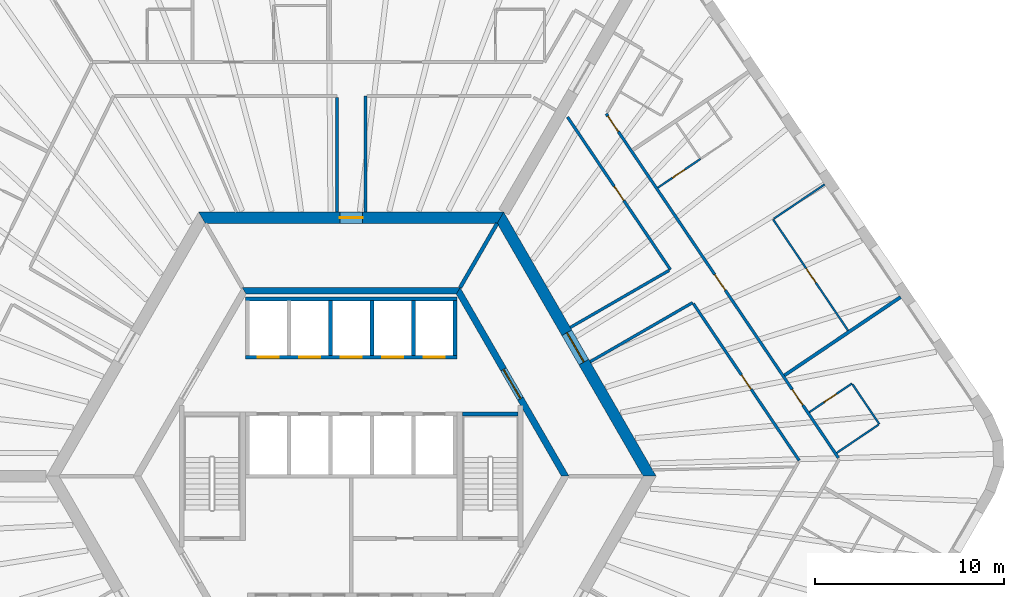
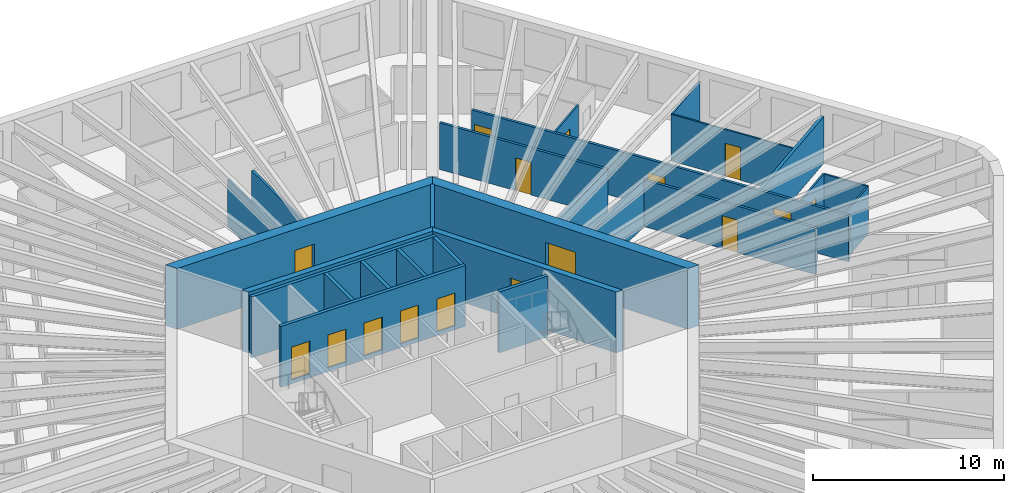
# One storey, part 9 of 12: 26 walls, 16 doors, 16 openings.
"""IFC4 building model written with IfcOpenShell, lengths in metres."""

from ifc_helpers import new_model, si_unit, direction, frame, frame_2d, origin, place, context, subcontext, project, spatial, polyline, rectangle, outline, extrude, material, layer, layer_set, type_object, element, fill, save


model = new_model("IFC4")

# Units and contexts
model_context = context("Model", 3, precision=1e-05, world=origin(), true_north=direction((0.0, 1.0)))
body_context = subcontext(model_context, "Body", "Model", "MODEL_VIEW")
ifc_project = project(units=[si_unit("LENGTHUNIT", "METRE"), si_unit("AREAUNIT", "SQUARE_METRE"), si_unit("VOLUMEUNIT", "CUBIC_METRE"), si_unit("PLANEANGLEUNIT", "RADIAN"), si_unit("MASSUNIT", "GRAM", prefix="KILO")], contexts=[model_context])

# Site, building, storey
site_placement = place(None, origin())
site = spatial("IfcSite", under=ifc_project, at=site_placement, CompositionType="ELEMENT")
building_placement = place(site_placement, origin())
building = spatial("IfcBuilding", under=site, at=building_placement, Name="Tarnside Tower", CompositionType="ELEMENT")
storey_placement = place(building_placement, frame((0.0, 0.0, 127.199951171875)))
storey = spatial("IfcBuildingStorey", under=building, at=storey_placement, Name="L29", CompositionType="ELEMENT", Elevation=127.199951171875)

# Wall, opening, door
ifc_material_1 = material(Name="Gypsum board partition on steel studs", Category="steel")
ifc_layer_1 = layer(ifc_material_1, 0.10009765625)
ifc_layer_set_1 = layer_set([ifc_layer_1], Name="Bathroom wall 100")
wall_type_1 = type_object("IfcWallType", Name="Bathroom wall 100", PredefinedType="PARTITIONING", material=ifc_layer_set_1)
wall_1_placement = place(storey_placement, frame((24.27978515625, 3.390869140625, 0.0), z_axis=(0.0, 0.0, 1.0), x_axis=(0.829005477618, 0.559240483226, 0.0)))
wall_1 = element("IfcWall", 1, at=wall_1_placement, inside=storey, type_object=wall_type_1, Name="Bathroom wall 09157", PredefinedType="PARTITIONING", context=body_context, shape_type="SweptSolid", body=[
    extrude(rectangle(XDim=2.72509765625, YDim=0.10009765625, at=frame_2d((1.362548828125, 0.0))), origin(), (0.0, 0.0, 1.0), 2.98779296875),
])
opening_1_placement = place(wall_1_placement, frame((0.925048828125, 0.0, 0.0)))
opening_1 = element("IfcOpeningElement", 2, at=opening_1_placement, cuts=wall_1, Name="Opening D-B1", PredefinedType="OPENING", context=body_context, shape_type="SweptSolid", body=[
    extrude(rectangle(XDim=0.800048828125, YDim=2.10009765625, at=frame_2d((0.39990234375, 1.050048828125))), frame((0.0, 0.06005859375, 0.0), z_axis=(0.0, -1.0, 0.0), x_axis=(1.0, 0.0, 0.0)), (0.0, 0.0, 1.0), 0.1201171875),
])
ifc_material_2 = material(Name="Timber door leaf", Category="wood")
door_type_1 = type_object("IfcDoorType", Name="Bathroom door 800", OperationType="NOTDEFINED", PredefinedType="DOOR", material=ifc_material_2)
door_1_placement = place(opening_1_placement, origin())
door_1 = element("IfcDoor", 3, at=door_1_placement, inside=storey, type_object=door_type_1, Name="Bathroom door 09038", OperationType="SINGLE_SWING_RIGHT", OverallHeight=2.10009765625, OverallWidth=0.800048828125, PredefinedType="DOOR", context=body_context, shape_type="SweptSolid", body=[
    extrude(rectangle(XDim=0.800048828125, YDim=2.10009765625, at=frame_2d((0.39990234375, 1.050048828125))), frame((0.0, 0.02490234375, 0.0), z_axis=(0.0, -1.0, 0.0), x_axis=(1.0, 0.0, 0.0)), (0.0, 0.0, 1.0), 0.050048828125),
])
fill(opening_1, door_1)

# Walls
wall_2_placement = place(storey_placement, frame((26.56689453125, 4.873291015625, 0.0), z_axis=(0.0, 0.0, 1.0), x_axis=(0.559155442782, -0.829062838878, 0.0)))
element("IfcWall", 4, at=wall_2_placement, inside=storey, type_object=wall_type_1, Name="Bathroom wall 09158", PredefinedType="PARTITIONING", context=body_context, shape_type="SweptSolid", body=[
    extrude(rectangle(XDim=2.5498046875, YDim=0.10009765625, at=frame_2d((1.27490234375, 0.0))), origin(), (0.0, 0.0, 1.0), 2.98779296875),
])
wall_3_placement = place(storey_placement, frame((27.951416015625, 2.731201171875, 0.0), z_axis=(0.0, 0.0, 1.0), x_axis=(-0.82904753069, -0.559178139645, 0.0)))
element("IfcWall", 5, at=wall_3_placement, inside=storey, type_object=wall_type_1, Name="Bathroom wall 09159", PredefinedType="PARTITIONING", context=body_context, shape_type="SweptSolid", body=[
    extrude(rectangle(XDim=2.675048828125, YDim=0.10009765625, at=frame_2d((1.33740234375, 0.0))), origin(), (0.0, 0.0, 1.0), 2.98779296875),
])

# Wall, opening, door
wall_4_placement = place(storey_placement, frame((18.51171875, 16.8154296875, 0.0), z_axis=(0.0, 0.0, 1.0), x_axis=(-0.829005477618, -0.559240483226, 0.0)))
wall_4 = element("IfcWall", 6, at=wall_4_placement, inside=storey, type_object=wall_type_1, Name="Bathroom wall 09162", PredefinedType="PARTITIONING", context=body_context, shape_type="SweptSolid", body=[
    extrude(rectangle(XDim=2.72509765625, YDim=0.10009765625, at=frame_2d((1.362548828125, 0.0))), origin(), (0.0, 0.0, 1.0), 2.98779296875),
])
opening_2_placement = place(wall_4_placement, frame((1.0, 0.0, 0.0)))
opening_2 = element("IfcOpeningElement", 7, at=opening_2_placement, cuts=wall_4, Name="Opening D-B1", PredefinedType="OPENING", context=body_context, shape_type="SweptSolid", body=[
    extrude(rectangle(XDim=0.800048828125, YDim=2.10009765625, at=frame_2d((0.39990234375, 1.050048828125))), frame((0.0, 0.06005859375, 0.0), z_axis=(0.0, -1.0, 0.0), x_axis=(1.0, 0.0, 0.0)), (0.0, 0.0, 1.0), 0.1201171875),
])
door_2_placement = place(opening_2_placement, origin())
door_2 = element("IfcDoor", 8, at=door_2_placement, inside=storey, type_object=door_type_1, Name="Bathroom door 09040", OperationType="SINGLE_SWING_LEFT", OverallHeight=2.10009765625, OverallWidth=0.800048828125, PredefinedType="DOOR", context=body_context, shape_type="SweptSolid", body=[
    extrude(rectangle(XDim=0.800048828125, YDim=2.10009765625, at=frame_2d((0.39990234375, 1.050048828125))), frame((0.0, 0.02490234375, 0.0), z_axis=(0.0, -1.0, 0.0), x_axis=(1.0, 0.0, 0.0)), (0.0, 0.0, 1.0), 0.050048828125),
])
fill(opening_2, door_2)

ifc_material_3 = material(Name="Concrete C50/60", Category="concrete")
ifc_layer_2 = layer(ifc_material_3, 0.35009765625)
ifc_layer_set_2 = layer_set([ifc_layer_2], Name="Core block wall 350 C50/60")
wall_type_2 = type_object("IfcWallType", Name="Core block wall 350 C50/60", PredefinedType="SHEAR", material=ifc_layer_set_2)
wall_5_placement = place(storey_placement, frame((11.344970703125, 0.0, -0.14990234375), z_axis=(0.0, 0.0, 1.0), x_axis=(-0.499995046907, 0.866028263435, 0.0)))
wall_5 = element("IfcWall", 9, at=wall_5_placement, inside=storey, type_object=wall_type_2, Name="L29 core block wall face 6", PredefinedType="SHEAR", context=body_context, shape_type="SweptSolid", body=[
    extrude(outline(polyline([(-0.10107421875, -0.175048828125), (11.44580078125, -0.175048828125), (11.24365234375, 0.175048828125), (0.10107421875, 0.175048828125), (-0.10107421875, -0.175048828125)])), origin(), (0.0, 0.0, 1.0), 3.89990234375),
])
opening_3_placement = place(wall_5_placement, frame((4.74365234375, 0.0, 0.14990234375)))
opening_3 = element("IfcOpeningElement", 10, at=opening_3_placement, cuts=wall_5, Name="Opening CD-LOB", PredefinedType="OPENING", context=body_context, shape_type="SweptSolid", body=[
    extrude(rectangle(XDim=1.800048828125, YDim=2.39990234375, at=frame_2d((0.89990234375, 1.199951171875))), frame((0.0, 0.18505859375, 0.0), z_axis=(0.0, -1.0, 0.0), x_axis=(1.0, 0.0, 0.0)), (0.0, 0.0, 1.0), 0.3701171875),
])
ifc_material_4 = material(Name="Steel fire door", Category="steel")
door_type_2 = type_object("IfcDoorType", Name="Lobby double door FD30S 1800x2400", OperationType="NOTDEFINED", PredefinedType="DOOR", material=ifc_material_4)
door_3_placement = place(opening_3_placement, origin())
door_3 = element("IfcDoor", 11, at=door_3_placement, inside=storey, type_object=door_type_2, Name="L29 lobby block door P2", OperationType="DOUBLE_DOOR_SINGLE_SWING", OverallHeight=2.39990234375, OverallWidth=1.800048828125, PredefinedType="DOOR", context=body_context, shape_type="SweptSolid", body=[
    extrude(rectangle(XDim=1.800048828125, YDim=2.39990234375, at=frame_2d((0.89990234375, 1.199951171875))), frame((0.0, 0.02490234375, 0.0), z_axis=(0.0, -1.0, 0.0), x_axis=(1.0, 0.0, 0.0)), (0.0, 0.0, 1.0), 0.050048828125),
])
fill(opening_3, door_3)

# Wall
wall_6_placement = place(storey_placement, frame((5.672607421875, 9.824951171875, -0.14990234375), z_axis=(0.0, 0.0, 1.0), x_axis=(-1.0, 0.0, 0.0)))
element("IfcWall", 12, at=wall_6_placement, inside=storey, type_object=wall_type_2, Name="L29 core block wall face 1", PredefinedType="SHEAR", context=body_context, shape_type="SweptSolid", body=[
    extrude(outline(polyline([(-0.10107421875, -0.175048828125), (11.4462890625, -0.175048828125), (11.244140625, 0.175048828125), (0.10107421875, 0.175048828125), (-0.10107421875, -0.175048828125)])), origin(), (0.0, 0.0, 1.0), 3.89990234375),
])

# Wall, opening, door
ifc_material_5 = material(Name="Concrete C80/95", Category="concrete")
ifc_layer_3 = layer(ifc_material_5, 0.60009765625)
ifc_layer_set_3 = layer_set([ifc_layer_3], Name="Core wall Z1 600 C80/95")
wall_type_3 = type_object("IfcWallType", Name="Core wall Z1 600 C80/95", PredefinedType="SHEAR", material=ifc_layer_set_3)
wall_7_placement = place(storey_placement, frame((15.8193359375, 0.0, -0.14990234375), z_axis=(0.0, 0.0, 1.0), x_axis=(-0.499999880136, 0.866025472988, 0.0)))
wall_7 = element("IfcWall", 13, at=wall_7_placement, inside=storey, type_object=wall_type_3, Name="L29 core wall face 6", PredefinedType="SHEAR", context=body_context, shape_type="SweptSolid", body=[
    extrude(outline(polyline([(-0.17333984375, -0.300048828125), (15.99267578125, -0.300048828125), (15.64599609375, 0.300048828125), (0.17333984375, 0.300048828125), (-0.17333984375, -0.300048828125)])), origin(), (0.0, 0.0, 1.0), 3.89990234375),
])
opening_4_placement = place(wall_7_placement, frame((6.980712890625, 0.0, 0.14990234375)))
opening_4 = element("IfcOpeningElement", 14, at=opening_4_placement, cuts=wall_7, Name="Opening CD-LOB", PredefinedType="OPENING", context=body_context, shape_type="SweptSolid", body=[
    extrude(rectangle(XDim=1.800048828125, YDim=2.39990234375, at=frame_2d((0.89990234375, 1.199951171875))), frame((0.0, 0.31005859375, 0.0), z_axis=(0.0, -1.0, 0.0), x_axis=(1.0, 0.0, 0.0)), (0.0, 0.0, 1.0), 0.6201171875),
])
door_4_placement = place(opening_4_placement, origin())
door_4 = element("IfcDoor", 15, at=door_4_placement, inside=storey, type_object=door_type_2, Name="L29 core door P2", OperationType="DOUBLE_DOOR_SINGLE_SWING", OverallHeight=2.39990234375, OverallWidth=1.800048828125, PredefinedType="DOOR", context=body_context, shape_type="SweptSolid", body=[
    extrude(rectangle(XDim=1.800048828125, YDim=2.39990234375, at=frame_2d((0.89990234375, 1.199951171875))), frame((0.0, 0.02490234375, 0.0), z_axis=(0.0, -1.0, 0.0), x_axis=(1.0, 0.0, 0.0)), (0.0, 0.0, 1.0), 0.050048828125),
])
fill(opening_4, door_4)

wall_8_placement = place(storey_placement, frame((7.90966796875, 13.699951171875, -0.14990234375), z_axis=(0.0, 0.0, 1.0), x_axis=(-1.0, 0.0, 0.0)))
wall_8 = element("IfcWall", 16, at=wall_8_placement, inside=storey, type_object=wall_type_3, Name="L29 core wall face 1", PredefinedType="SHEAR", context=body_context, shape_type="SweptSolid", body=[
    extrude(outline(polyline([(-0.17333984375, -0.300048828125), (15.99267578125, -0.300048828125), (15.64599609375, 0.300048828125), (0.17333984375, 0.300048828125), (-0.17333984375, -0.300048828125)])), origin(), (0.0, 0.0, 1.0), 3.89990234375),
])
opening_5_placement = place(wall_8_placement, frame((7.309814453125, 0.0, 0.14990234375)))
opening_5 = element("IfcOpeningElement", 17, at=opening_5_placement, cuts=wall_8, Name="Opening CD-RSR", PredefinedType="OPENING", context=body_context, shape_type="SweptSolid", body=[
    extrude(rectangle(XDim=1.199951171875, YDim=2.39990234375, at=frame_2d((0.60009765625, 1.199951171875))), frame((0.0, 0.31005859375, 0.0), z_axis=(0.0, -1.0, 0.0), x_axis=(1.0, 0.0, 0.0)), (0.0, 0.0, 1.0), 0.6201171875),
])
door_type_3 = type_object("IfcDoorType", Name="Riser door FD60 1200x2400", OperationType="NOTDEFINED", PredefinedType="DOOR", material=ifc_material_4)
door_5_placement = place(opening_5_placement, origin())
door_5 = element("IfcDoor", 18, at=door_5_placement, inside=storey, type_object=door_type_3, Name="L29 core door S5", OperationType="SINGLE_SWING_LEFT", OverallHeight=2.39990234375, OverallWidth=1.199951171875, PredefinedType="DOOR", context=body_context, shape_type="SweptSolid", body=[
    extrude(rectangle(XDim=1.199951171875, YDim=2.39990234375, at=frame_2d((0.60009765625, 1.199951171875))), frame((0.0, 0.02490234375, 0.0), z_axis=(0.0, -1.0, 0.0), x_axis=(1.0, 0.0, 0.0)), (0.0, 0.0, 1.0), 0.050048828125),
])
fill(opening_5, door_5)

# Walls
ifc_layer_4 = layer(ifc_material_1, 0.14990234375)
ifc_layer_set_4 = layer_set([ifc_layer_4], Name="Corridor wall 150 EI 60")
wall_type_4 = type_object("IfcWallType", Name="Corridor wall 150 EI 60", PredefinedType="PARTITIONING", material=ifc_layer_set_4)
wall_9_placement = place(storey_placement, frame((-0.75, 20.074951171875, 0.0), z_axis=(0.0, 0.0, 1.0), x_axis=(0.0, -1.0, 0.0)))
element("IfcWall", 19, at=wall_9_placement, inside=storey, type_object=wall_type_4, Name="Corridor wall 09018", PredefinedType="PARTITIONING", context=body_context, shape_type="SweptSolid", body=[
    extrude(rectangle(XDim=6.074951171875, YDim=0.14990234375, at=frame_2d((3.03759765625, 0.0))), origin(), (0.0, 0.0, 1.0), 2.98779296875),
])
wall_10_placement = place(storey_placement, frame((0.75, 14.0, 0.0), z_axis=(0.0, 0.0, 1.0), x_axis=(0.0, 1.0, 0.0)))
element("IfcWall", 20, at=wall_10_placement, inside=storey, type_object=wall_type_4, Name="Corridor wall 09022", PredefinedType="PARTITIONING", context=body_context, shape_type="SweptSolid", body=[
    extrude(rectangle(XDim=6.14990234375, YDim=0.14990234375, at=frame_2d((3.074951171875, 0.0))), origin(), (0.0, 0.0, 1.0), 2.98779296875),
])

# Wall, openings, doors
wall_11_placement = place(storey_placement, frame((25.820556640625, 0.972412109375, 0.0), z_axis=(0.0, 0.0, 1.0), x_axis=(-0.559193816298, 0.829036956845, 0.0)))
wall_11 = element("IfcWall", 21, at=wall_11_placement, inside=storey, type_object=wall_type_4, Name="Corridor wall 09060", PredefinedType="PARTITIONING", context=body_context, shape_type="SweptSolid", body=[
    extrude(rectangle(XDim=22.001708984375, YDim=0.14990234375, at=frame_2d((11.0009765625, 0.0))), origin(), (0.0, 0.0, 1.0), 2.98779296875),
])
opening_6_placement = place(wall_11_placement, frame((3.368896484375, 0.0, 0.0)))
opening_6 = element("IfcOpeningElement", 22, at=opening_6_placement, cuts=wall_11, Name="Opening D-E1", PredefinedType="OPENING", context=body_context, shape_type="SweptSolid", body=[
    extrude(rectangle(XDim=1.0, YDim=2.10009765625, at=frame_2d((0.5, 1.050048828125))), frame((0.0, 0.0849609375, 0.0), z_axis=(0.0, -1.0, 0.0), x_axis=(1.0, 0.0, 0.0)), (0.0, 0.0, 1.0), 0.169921875),
])
opening_7_placement = place(wall_11_placement, frame((10.721435546875, 0.0, 0.0)))
opening_7 = element("IfcOpeningElement", 23, at=opening_7_placement, cuts=wall_11, Name="Opening D-E1", PredefinedType="OPENING", context=body_context, shape_type="SweptSolid", body=[
    extrude(rectangle(XDim=1.0, YDim=2.10009765625, at=frame_2d((0.5, 1.050048828125))), frame((0.0, 0.0849609375, 0.0), z_axis=(0.0, -1.0, 0.0), x_axis=(1.0, 0.0, 0.0)), (0.0, 0.0, 1.0), 0.169921875),
])
opening_8_placement = place(wall_11_placement, frame((20.851806640625, 0.0, 0.0)))
opening_8 = element("IfcOpeningElement", 24, at=opening_8_placement, cuts=wall_11, Name="Opening D-E1", PredefinedType="OPENING", context=body_context, shape_type="SweptSolid", body=[
    extrude(rectangle(XDim=1.0, YDim=2.10009765625, at=frame_2d((0.5, 1.050048828125))), frame((0.0, 0.0849609375, 0.0), z_axis=(0.0, -1.0, 0.0), x_axis=(1.0, 0.0, 0.0)), (0.0, 0.0, 1.0), 0.169921875),
])
door_type_4 = type_object("IfcDoorType", Name="Unit entrance door 1000 FD30S", OperationType="NOTDEFINED", PredefinedType="DOOR", material=ifc_material_2)
door_6_placement = place(opening_6_placement, origin())
door_6 = element("IfcDoor", 25, at=door_6_placement, inside=storey, type_object=door_type_4, Name="Unit door 09037", OperationType="SINGLE_SWING_LEFT", OverallHeight=2.10009765625, OverallWidth=1.0, PredefinedType="DOOR", context=body_context, shape_type="SweptSolid", body=[
    extrude(rectangle(XDim=1.0, YDim=2.10009765625, at=frame_2d((0.5, 1.050048828125))), frame((0.0, 0.02490234375, 0.0), z_axis=(0.0, -1.0, 0.0), x_axis=(1.0, 0.0, 0.0)), (0.0, 0.0, 1.0), 0.050048828125),
])
fill(opening_6, door_6)
door_7_placement = place(opening_7_placement, origin())
door_7 = element("IfcDoor", 26, at=door_7_placement, inside=storey, type_object=door_type_4, Name="Unit door 09039", OperationType="SINGLE_SWING_RIGHT", OverallHeight=2.10009765625, OverallWidth=1.0, PredefinedType="DOOR", context=body_context, shape_type="SweptSolid", body=[
    extrude(rectangle(XDim=1.0, YDim=2.10009765625, at=frame_2d((0.5, 1.050048828125))), frame((0.0, 0.02490234375, 0.0), z_axis=(0.0, -1.0, 0.0), x_axis=(1.0, 0.0, 0.0)), (0.0, 0.0, 1.0), 0.050048828125),
])
fill(opening_7, door_7)
door_8_placement = place(opening_8_placement, origin())
door_8 = element("IfcDoor", 27, at=door_8_placement, inside=storey, type_object=door_type_4, Name="Unit door 09043", OperationType="SINGLE_SWING_LEFT", OverallHeight=2.10009765625, OverallWidth=1.0, PredefinedType="DOOR", context=body_context, shape_type="SweptSolid", body=[
    extrude(rectangle(XDim=1.0, YDim=2.10009765625, at=frame_2d((0.5, 1.050048828125))), frame((0.0, 0.02490234375, 0.0), z_axis=(0.0, -1.0, 0.0), x_axis=(1.0, 0.0, 0.0)), (0.0, 0.0, 1.0), 0.050048828125),
])
fill(opening_8, door_8)

# Wall
wall_12_placement = place(storey_placement, frame((12.663818359375, 6.065673828125, 0.0), z_axis=(0.0, 0.0, 1.0), x_axis=(0.866036561919, 0.499980673046, 0.0)))
element("IfcWall", 28, at=wall_12_placement, inside=storey, type_object=wall_type_4, Name="Corridor wall 09073", PredefinedType="PARTITIONING", context=body_context, shape_type="SweptSolid", body=[
    extrude(rectangle(XDim=6.274658203125, YDim=0.14990234375, at=frame_2d((3.13720703125, 0.0))), origin(), (0.0, 0.0, 1.0), 2.98779296875),
])

# Wall, opening, door
wall_13_placement = place(storey_placement, frame((18.139892578125, 9.140625, 0.0), z_axis=(0.0, 0.0, 1.0), x_axis=(0.55918799196, -0.829040885389, 0.0)))
wall_13 = element("IfcWall", 29, at=wall_13_placement, inside=storey, type_object=wall_type_4, Name="Corridor wall 09074", PredefinedType="PARTITIONING", context=body_context, shape_type="SweptSolid", body=[
    extrude(rectangle(XDim=10.025146484375, YDim=0.14990234375, at=frame_2d((5.0126953125, 0.0))), origin(), (0.0, 0.0, 1.0), 2.98779296875),
])
opening_9_placement = place(wall_13_placement, frame((4.562744140625, 0.0, 0.0)))
opening_9 = element("IfcOpeningElement", 30, at=opening_9_placement, cuts=wall_13, Name="Opening D-S1", PredefinedType="OPENING", context=body_context, shape_type="SweptSolid", body=[
    extrude(rectangle(XDim=0.89990234375, YDim=2.10009765625, at=frame_2d((0.449951171875, 1.050048828125))), frame((0.0, 0.0849609375, 0.0), z_axis=(0.0, -1.0, 0.0), x_axis=(1.0, 0.0, 0.0)), (0.0, 0.0, 1.0), 0.169921875),
])
door_type_5 = type_object("IfcDoorType", Name="Service room door 900 FD30S", OperationType="NOTDEFINED", PredefinedType="DOOR", material=ifc_material_2)
door_9_placement = place(opening_9_placement, origin())
door_9 = element("IfcDoor", 31, at=door_9_placement, inside=storey, type_object=door_type_5, Name="Service door 09054", OperationType="SINGLE_SWING_RIGHT", OverallHeight=2.10009765625, OverallWidth=0.89990234375, PredefinedType="DOOR", context=body_context, shape_type="SweptSolid", body=[
    extrude(rectangle(XDim=0.89990234375, YDim=2.10009765625, at=frame_2d((0.449951171875, 1.050048828125))), frame((0.0, 0.02490234375, 0.0), z_axis=(0.0, -1.0, 0.0), x_axis=(1.0, 0.0, 0.0)), (0.0, 0.0, 1.0), 0.050048828125),
])
fill(opening_9, door_9)

wall_14_placement = place(storey_placement, frame((11.464599609375, 19.037109375, 0.0), z_axis=(0.0, 0.0, 1.0), x_axis=(0.559196064773, -0.829035440221, 0.0)))
wall_14 = element("IfcWall", 32, at=wall_14_placement, inside=storey, type_object=wall_type_4, Name="Corridor wall 09079", PredefinedType="PARTITIONING", context=body_context, shape_type="SweptSolid", body=[
    extrude(rectangle(XDim=9.757080078125, YDim=0.14990234375, at=frame_2d((4.87841796875, 0.0))), origin(), (0.0, 0.0, 1.0), 2.98779296875),
])
opening_10_placement = place(wall_14_placement, frame((4.428466796875, 0.0, 0.0)))
opening_10 = element("IfcOpeningElement", 33, at=opening_10_placement, cuts=wall_14, Name="Opening D-S1", PredefinedType="OPENING", context=body_context, shape_type="SweptSolid", body=[
    extrude(rectangle(XDim=0.89990234375, YDim=2.10009765625, at=frame_2d((0.449951171875, 1.050048828125))), frame((0.0, 0.0849609375, 0.0), z_axis=(0.0, -1.0, 0.0), x_axis=(1.0, 0.0, 0.0)), (0.0, 0.0, 1.0), 0.169921875),
])
door_10_placement = place(opening_10_placement, origin())
door_10 = element("IfcDoor", 34, at=door_10_placement, inside=storey, type_object=door_type_5, Name="Service door 09056", OperationType="SINGLE_SWING_RIGHT", OverallHeight=2.10009765625, OverallWidth=0.89990234375, PredefinedType="DOOR", context=body_context, shape_type="SweptSolid", body=[
    extrude(rectangle(XDim=0.89990234375, YDim=2.10009765625, at=frame_2d((0.449951171875, 1.050048828125))), frame((0.0, 0.02490234375, 0.0), z_axis=(0.0, -1.0, 0.0), x_axis=(1.0, 0.0, 0.0)), (0.0, 0.0, 1.0), 0.050048828125),
])
fill(opening_10, door_10)

# Walls
wall_15_placement = place(storey_placement, frame((16.85546875, 10.91064453125, 0.0), z_axis=(0.0, 0.0, 1.0), x_axis=(-0.866020343444, -0.500008764664, 0.0)))
element("IfcWall", 35, at=wall_15_placement, inside=storey, type_object=wall_type_4, Name="Corridor wall 09080", PredefinedType="PARTITIONING", context=body_context, shape_type="SweptSolid", body=[
    extrude(rectangle(XDim=6.052734375, YDim=0.14990234375, at=frame_2d((3.0263671875, 0.0))), origin(), (0.0, 0.0, 1.0), 2.98779296875),
])
ifc_layer_5 = layer(ifc_material_1, 0.179931640625)
ifc_layer_set_5 = layer_set([ifc_layer_5], Name="Demising wall 180 EI 60")
wall_type_5 = type_object("IfcWallType", Name="Demising wall 180 EI 60", PredefinedType="PARTITIONING", material=ifc_layer_set_5)
wall_16_placement = place(storey_placement, frame((29.11865234375, 9.4951171875, 0.0), z_axis=(0.0, 0.0, 1.0), x_axis=(-0.829038452737, -0.559191598545, 0.0)))
element("IfcWall", 36, at=wall_16_placement, inside=storey, type_object=wall_type_5, Name="Demising wall 09160", PredefinedType="PARTITIONING", context=body_context, shape_type="SweptSolid", body=[
    extrude(rectangle(XDim=7.42529296875, YDim=0.179931640625, at=frame_2d((3.712646484375, 0.0))), origin(), (0.0, 0.0, 1.0), 2.98779296875),
])

# Wall, openings, doors
ifc_material_6 = material(Name="Concrete C40/50", Category="concrete")
ifc_layer_6 = layer(ifc_material_6, 0.199951171875)
ifc_layer_set_6 = layer_set([ifc_layer_6], Name="Lift shaft wall 200 C40/50")
wall_type_6 = type_object("IfcWallType", Name="Lift shaft wall 200 C40/50", PredefinedType="SHEAR", material=ifc_layer_set_6)
wall_17_placement = place(storey_placement, frame((-5.60009765625, 6.300048828125, -0.25), z_axis=(0.0, 0.0, 1.0), x_axis=(1.0, 0.0, 0.0)))
wall_17 = element("IfcWall", 37, at=wall_17_placement, inside=storey, type_object=wall_type_6, Name="L29 lift shaft front wall R1", PredefinedType="SHEAR", context=body_context, shape_type="SweptSolid", body=[
    extrude(rectangle(XDim=11.2001953125, YDim=0.199951171875, at=frame_2d((5.60009765625, 0.0))), origin(), (0.0, 0.0, 1.0), 3.900146484375),
])
opening_11_placement = place(wall_17_placement, frame((0.64990234375, 0.0, 0.25)))
opening_11 = element("IfcOpeningElement", 38, at=opening_11_placement, cuts=wall_17, Name="Opening LD", PredefinedType="OPENING", context=body_context, shape_type="SweptSolid", body=[
    extrude(rectangle(XDim=1.10009765625, YDim=2.10009765625, at=frame_2d((0.550048828125, 1.050048828125))), frame((0.0, 0.10986328125, 0.0), z_axis=(0.0, -1.0, 0.0), x_axis=(1.0, 0.0, 0.0)), (0.0, 0.0, 1.0), 0.219970703125),
])
opening_12_placement = place(wall_17_placement, frame((2.85009765625, 0.0, 0.25)))
opening_12 = element("IfcOpeningElement", 39, at=opening_12_placement, cuts=wall_17, Name="Opening LD", PredefinedType="OPENING", context=body_context, shape_type="SweptSolid", body=[
    extrude(rectangle(XDim=1.10009765625, YDim=2.10009765625, at=frame_2d((0.550048828125, 1.050048828125))), frame((0.0, 0.10986328125, 0.0), z_axis=(0.0, -1.0, 0.0), x_axis=(1.0, 0.0, 0.0)), (0.0, 0.0, 1.0), 0.219970703125),
])
opening_13_placement = place(wall_17_placement, frame((5.050048828125, 0.0, 0.25)))
opening_13 = element("IfcOpeningElement", 40, at=opening_13_placement, cuts=wall_17, Name="Opening LD", PredefinedType="OPENING", context=body_context, shape_type="SweptSolid", body=[
    extrude(rectangle(XDim=1.10009765625, YDim=2.10009765625, at=frame_2d((0.550048828125, 1.050048828125))), frame((0.0, 0.10986328125, 0.0), z_axis=(0.0, -1.0, 0.0), x_axis=(1.0, 0.0, 0.0)), (0.0, 0.0, 1.0), 0.219970703125),
])
opening_14_placement = place(wall_17_placement, frame((7.25, 0.0, 0.25)))
opening_14 = element("IfcOpeningElement", 41, at=opening_14_placement, cuts=wall_17, Name="Opening LD", PredefinedType="OPENING", context=body_context, shape_type="SweptSolid", body=[
    extrude(rectangle(XDim=1.10009765625, YDim=2.10009765625, at=frame_2d((0.550048828125, 1.050048828125))), frame((0.0, 0.10986328125, 0.0), z_axis=(0.0, -1.0, 0.0), x_axis=(1.0, 0.0, 0.0)), (0.0, 0.0, 1.0), 0.219970703125),
])
opening_15_placement = place(wall_17_placement, frame((9.449951171875, 0.0, 0.25)))
opening_15 = element("IfcOpeningElement", 42, at=opening_15_placement, cuts=wall_17, Name="Opening LD", PredefinedType="OPENING", context=body_context, shape_type="SweptSolid", body=[
    extrude(rectangle(XDim=1.10009765625, YDim=2.10009765625, at=frame_2d((0.550048828125, 1.050048828125))), frame((0.0, 0.10986328125, 0.0), z_axis=(0.0, -1.0, 0.0), x_axis=(1.0, 0.0, 0.0)), (0.0, 0.0, 1.0), 0.219970703125),
])
ifc_material_7 = material(Name="Stainless steel", Category="steel")
door_type_6 = type_object("IfcDoorType", Name="Lift landing door 1100x2100", OperationType="NOTDEFINED", PredefinedType="DOOR", material=ifc_material_7)
door_11_placement = place(opening_11_placement, origin())
door_11 = element("IfcDoor", 43, at=door_11_placement, inside=storey, type_object=door_type_6, Name="Low-rise lift 1 landing door L29", OperationType="SLIDING_TO_LEFT", OverallHeight=2.10009765625, OverallWidth=1.10009765625, PredefinedType="DOOR", context=body_context, shape_type="SweptSolid", body=[
    extrude(rectangle(XDim=1.10009765625, YDim=2.10009765625, at=frame_2d((0.550048828125, 1.050048828125))), frame((0.0, 0.02490234375, 0.0), z_axis=(0.0, -1.0, 0.0), x_axis=(1.0, 0.0, 0.0)), (0.0, 0.0, 1.0), 0.050048828125),
])
fill(opening_11, door_11)
door_12_placement = place(opening_12_placement, origin())
door_12 = element("IfcDoor", 44, at=door_12_placement, inside=storey, type_object=door_type_6, Name="Low-rise lift 2 landing door L29", OperationType="SLIDING_TO_LEFT", OverallHeight=2.10009765625, OverallWidth=1.10009765625, PredefinedType="DOOR", context=body_context, shape_type="SweptSolid", body=[
    extrude(rectangle(XDim=1.10009765625, YDim=2.10009765625, at=frame_2d((0.550048828125, 1.050048828125))), frame((0.0, 0.02490234375, 0.0), z_axis=(0.0, -1.0, 0.0), x_axis=(1.0, 0.0, 0.0)), (0.0, 0.0, 1.0), 0.050048828125),
])
fill(opening_12, door_12)
door_13_placement = place(opening_13_placement, origin())
door_13 = element("IfcDoor", 45, at=door_13_placement, inside=storey, type_object=door_type_6, Name="Low-rise lift 3 landing door L29", OperationType="SLIDING_TO_LEFT", OverallHeight=2.10009765625, OverallWidth=1.10009765625, PredefinedType="DOOR", context=body_context, shape_type="SweptSolid", body=[
    extrude(rectangle(XDim=1.10009765625, YDim=2.10009765625, at=frame_2d((0.550048828125, 1.050048828125))), frame((0.0, 0.02490234375, 0.0), z_axis=(0.0, -1.0, 0.0), x_axis=(1.0, 0.0, 0.0)), (0.0, 0.0, 1.0), 0.050048828125),
])
fill(opening_13, door_13)
door_14_placement = place(opening_14_placement, origin())
door_14 = element("IfcDoor", 46, at=door_14_placement, inside=storey, type_object=door_type_6, Name="Low sky-lobby shuttle 1 landing door L29", OperationType="SLIDING_TO_LEFT", OverallHeight=2.10009765625, OverallWidth=1.10009765625, PredefinedType="DOOR", context=body_context, shape_type="SweptSolid", body=[
    extrude(rectangle(XDim=1.10009765625, YDim=2.10009765625, at=frame_2d((0.550048828125, 1.050048828125))), frame((0.0, 0.02490234375, 0.0), z_axis=(0.0, -1.0, 0.0), x_axis=(1.0, 0.0, 0.0)), (0.0, 0.0, 1.0), 0.050048828125),
])
fill(opening_14, door_14)
door_15_placement = place(opening_15_placement, origin())
door_15 = element("IfcDoor", 47, at=door_15_placement, inside=storey, type_object=door_type_6, Name="Low sky-lobby shuttle 2 landing door L29", OperationType="SLIDING_TO_LEFT", OverallHeight=2.10009765625, OverallWidth=1.10009765625, PredefinedType="DOOR", context=body_context, shape_type="SweptSolid", body=[
    extrude(rectangle(XDim=1.10009765625, YDim=2.10009765625, at=frame_2d((0.550048828125, 1.050048828125))), frame((0.0, 0.02490234375, 0.0), z_axis=(0.0, -1.0, 0.0), x_axis=(1.0, 0.0, 0.0)), (0.0, 0.0, 1.0), 0.050048828125),
])
fill(opening_15, door_15)

# Walls
wall_18_placement = place(storey_placement, frame((-5.60009765625, 9.39990234375, -0.25), z_axis=(0.0, 0.0, 1.0), x_axis=(1.0, 0.0, 0.0)))
element("IfcWall", 48, at=wall_18_placement, inside=storey, type_object=wall_type_6, Name="L29 lift shaft back wall R1", PredefinedType="SHEAR", context=body_context, shape_type="SweptSolid", body=[
    extrude(rectangle(XDim=11.2001953125, YDim=0.199951171875, at=frame_2d((5.60009765625, 0.0))), origin(), (0.0, 0.0, 1.0), 3.900146484375),
])
for number, where, z_axis, x_axis, name in (
    (49, (-1.10009765625, 6.39990234375, -0.25), (0.0, 0.0, 1.0), (0.0, 1.0, 0.0), "L29 lift shaft partition R13"),
    (50, (1.10009765625, 6.39990234375, -0.25), (0.0, 0.0, 1.0), (0.0, 1.0, 0.0), "L29 lift shaft partition R14"),
    (51, (3.300048828125, 6.39990234375, -0.25), (0.0, 0.0, 1.0), (0.0, 1.0, 0.0), "L29 lift shaft partition R15"),
    (52, (5.5, 6.39990234375, -0.25), (0.0, 0.0, 1.0), (0.0, 1.0, 0.0), "L29 lift shaft partition R16"),
):
    element("IfcWall", number, at=place(storey_placement, frame(where, z_axis=z_axis, x_axis=x_axis)), inside=storey, type_object=wall_type_6, Name=name, PredefinedType="SHEAR", context=body_context, shape_type="SweptSolid", body=[
        extrude(rectangle(XDim=2.900146484375, YDim=0.199951171875, at=frame_2d((1.4501953125, 0.0))), origin(), (0.0, 0.0, 1.0), 3.900146484375),
    ])
wall_19_placement = place(storey_placement, frame((5.7734375, 10.0, -0.14990234375), z_axis=(0.0, 0.0, 1.0), x_axis=(0.500038251005, 0.86600331843, 0.0)))
element("IfcWall", 53, at=wall_19_placement, inside=storey, type_object=wall_type_6, Name="L29 core partition AR60", PredefinedType="SHEAR", context=body_context, shape_type="SweptSolid", body=[
    extrude(rectangle(XDim=3.926025390625, YDim=0.199951171875, at=frame_2d((1.962890625, 0.0))), origin(), (0.0, 0.0, 1.0), 3.89990234375),
])
wall_20_placement = place(storey_placement, frame((5.89990234375, 3.300048828125, -0.25), z_axis=(0.0, 0.0, 1.0), x_axis=(1.0, 0.0, 0.0)))
element("IfcWall", 54, at=wall_20_placement, inside=storey, type_object=wall_type_6, Name="L29 stair 1 enclosure cap wall n", PredefinedType="SHEAR", context=body_context, shape_type="SweptSolid", body=[
    extrude(rectangle(XDim=2.9501953125, YDim=0.199951171875, at=frame_2d((1.47509765625, 0.0))), origin(), (0.0, 0.0, 1.0), 3.900146484375),
])

# Wall, opening, door
ifc_layer_7 = layer(ifc_material_1, 0.10009765625)
ifc_layer_set_7 = layer_set([ifc_layer_7], Name="Partition 100")
wall_type_7 = type_object("IfcWallType", Name="Partition 100", PredefinedType="PARTITIONING", material=ifc_layer_set_7)
wall_21_placement = place(storey_placement, frame((26.33251953125, 7.724365234375, 0.0), z_axis=(0.0, 0.0, 1.0), x_axis=(-0.559185029686, 0.829042883435, 0.0)))
wall_21 = element("IfcWall", 55, at=wall_21_placement, inside=storey, type_object=wall_type_7, Name="Partition wall 09165", PredefinedType="PARTITIONING", context=body_context, shape_type="SweptSolid", body=[
    extrude(rectangle(XDim=7.110107421875, YDim=0.10009765625, at=frame_2d((3.55517578125, 0.0))), origin(), (0.0, 0.0, 1.0), 2.98779296875),
])
opening_16_placement = place(wall_21_placement, frame((3.06005859375, 0.0, 0.0)))
opening_16 = element("IfcOpeningElement", 56, at=opening_16_placement, cuts=wall_21, Name="Opening D-I1", PredefinedType="OPENING", context=body_context, shape_type="SweptSolid", body=[
    extrude(rectangle(XDim=0.89990234375, YDim=2.10009765625, at=frame_2d((0.449951171875, 1.050048828125))), frame((0.0, 0.06005859375, 0.0), z_axis=(0.0, -1.0, 0.0), x_axis=(1.0, 0.0, 0.0)), (0.0, 0.0, 1.0), 0.1201171875),
])
door_type_7 = type_object("IfcDoorType", Name="Internal door 900", OperationType="NOTDEFINED", PredefinedType="DOOR", material=ifc_material_2)
door_16_placement = place(opening_16_placement, origin())
door_16 = element("IfcDoor", 57, at=door_16_placement, inside=storey, type_object=door_type_7, Name="Internal door 09042", OperationType="SINGLE_SWING_RIGHT", OverallHeight=2.10009765625, OverallWidth=0.89990234375, PredefinedType="DOOR", context=body_context, shape_type="SweptSolid", body=[
    extrude(rectangle(XDim=0.89990234375, YDim=2.10009765625, at=frame_2d((0.449951171875, 1.050048828125))), frame((0.0, 0.02490234375, 0.0), z_axis=(0.0, -1.0, 0.0), x_axis=(1.0, 0.0, 0.0)), (0.0, 0.0, 1.0), 0.050048828125),
])
fill(opening_16, door_16)

# Wall
wall_22_placement = place(storey_placement, frame((22.39794921875, 13.646728515625, 0.0), z_axis=(0.0, 0.0, 1.0), x_axis=(0.829033253898, 0.55919930609, 0.0)))
element("IfcWall", 58, at=wall_22_placement, inside=storey, type_object=wall_type_7, Name="Partition wall 09166", PredefinedType="PARTITIONING", context=body_context, shape_type="SweptSolid", body=[
    extrude(rectangle(XDim=3.25, YDim=0.10009765625, at=frame_2d((1.625, 0.0))), origin(), (0.0, 0.0, 1.0), 2.98779296875),
])

save(model, "model.ifc")
